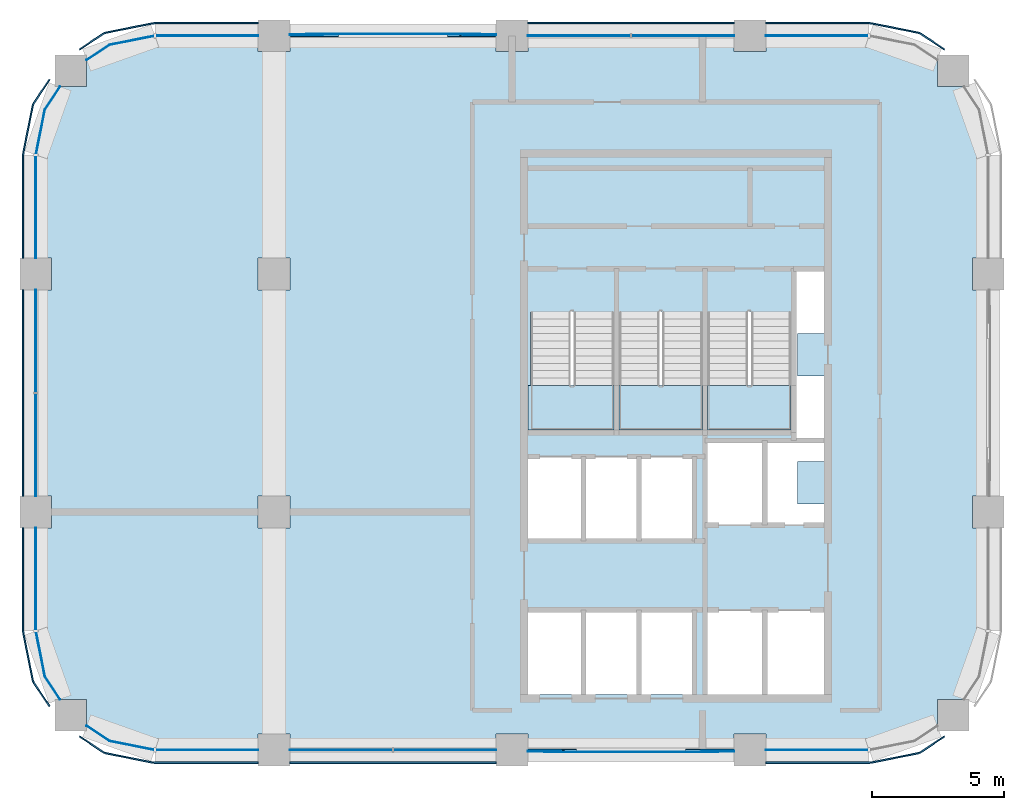
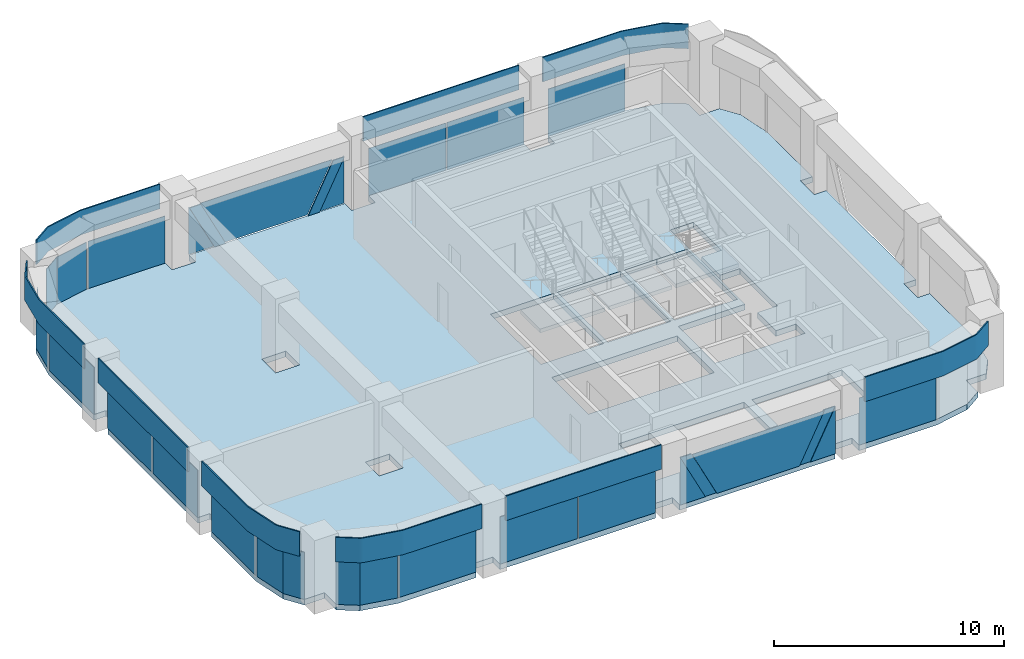
# One storey, part 5 of 9: 35 plates, 4 slabs, 14 elements without a shape of their own.
"""IFC4 building model written with IfcOpenShell, lengths in metres."""

from ifc_helpers import new_model, si_unit, direction, frame, origin, origin_2d, place, context, subcontext, project, spatial, polyline, rectangle, outline, extrude, material, layer, layer_set, type_object, element, aggregate, save


model = new_model("IFC4")

# Units and contexts
model_context = context("Model", 3, precision=1e-05, world=origin(), true_north=direction((0.0, 1.0)))
body_context = subcontext(model_context, "Body", "Model", "MODEL_VIEW")
ifc_project = project(units=[si_unit("LENGTHUNIT", "METRE"), si_unit("AREAUNIT", "SQUARE_METRE"), si_unit("VOLUMEUNIT", "CUBIC_METRE"), si_unit("PLANEANGLEUNIT", "RADIAN"), si_unit("MASSUNIT", "GRAM", prefix="KILO")], contexts=[model_context])

# Site, building, storey
site_placement = place(None, origin())
site = spatial("IfcSite", under=ifc_project, at=site_placement, CompositionType="ELEMENT")
building_placement = place(site_placement, origin())
building = spatial("IfcBuilding", under=site, at=building_placement, Name="Tessera Arch", CompositionType="ELEMENT")
storey_placement = place(building_placement, frame((0.0, 0.0, 312.89990234375)))
storey = spatial("IfcBuildingStorey", under=building, at=storey_placement, Name="L75", CompositionType="ELEMENT", Elevation=312.89990234375)

# Curtain wall, plates
ifc_material_1 = material(Name="CW1 curtain wall")
curtain_wall_type_1 = type_object("IfcCurtainWallType", Name="CW1 curtain wall", PredefinedType="NOTDEFINED", material=ifc_material_1)
curtain_wall_1_placement = place(storey_placement, origin())
curtain_wall_1 = element("IfcCurtainWall", 1, at=curtain_wall_1_placement, inside=storey, type_object=curtain_wall_type_1, Name="CW1 curtain wall N54.18/1 L75", PredefinedType="NOTDEFINED")
ifc_material_2 = material(Name="Clear low-e glass", Category="glass")
ifc_material_3 = material(Name="Clear low-e glass", Category="glass")
ifc_layer_1 = layer(ifc_material_3, 0.028076171875)
ifc_layer_set_1 = layer_set([ifc_layer_1], Name="CW1 glass panel")
plate_type_1 = type_object("IfcPlateType", Name="CW1 glass panel", PredefinedType="CURTAIN_PANEL", material=ifc_layer_set_1)
plate_1_placement = place(storey_placement, frame((42.465087890625, 54.0, 0.0), z_axis=(0.0, 0.0, 1.0), x_axis=(-1.0, 0.0, 0.0)))
plate_1 = element("IfcPlate", 2, at=plate_1_placement, type_object=plate_type_1, material=ifc_material_2, Name="CW1 glass panel N54.18/1 1.1.1", PredefinedType="CURTAIN_PANEL", context=body_context, shape_type="SweptSolid", body=[
    extrude(rectangle(XDim=3.8701171875, YDim=0.028076171875, at=origin_2d()), origin(), (0.0, 0.0, 1.0), 2.5),
])
plate_2_placement = place(storey_placement, frame((38.534912109375, 54.0, 0.0), z_axis=(0.0, 0.0, 1.0), x_axis=(-1.0, 0.0, 0.0)))
plate_2 = element("IfcPlate", 3, at=plate_2_placement, type_object=plate_type_1, material=ifc_material_2, Name="CW1 glass panel N54.18/1 1.2.1", PredefinedType="CURTAIN_PANEL", context=body_context, shape_type="SweptSolid", body=[
    extrude(rectangle(XDim=3.8701171875, YDim=0.028076171875, at=origin_2d()), origin(), (0.0, 0.0, 1.0), 2.5),
])

curtain_wall_2_placement = place(storey_placement, origin())
curtain_wall_2 = element("IfcCurtainWall", 4, at=curtain_wall_2_placement, inside=storey, type_object=curtain_wall_type_1, Name="CW1 curtain wall W18.27/1 L75", PredefinedType="NOTDEFINED")
plate_3_placement = place(storey_placement, frame((18.0, 42.465087890625, 0.0), z_axis=(0.0, 0.0, 1.0), x_axis=(0.0, -1.0, 0.0)))
plate_3 = element("IfcPlate", 5, at=plate_3_placement, type_object=plate_type_1, material=ifc_material_2, Name="CW1 glass panel W18.27/1 1.1.1", PredefinedType="CURTAIN_PANEL", context=body_context, shape_type="SweptSolid", body=[
    extrude(rectangle(XDim=3.8701171875, YDim=0.028076171875, at=origin_2d()), origin(), (0.0, 0.0, 1.0), 2.5),
])
plate_4_placement = place(storey_placement, frame((18.0, 38.534912109375, 0.0), z_axis=(0.0, 0.0, 1.0), x_axis=(0.0, -1.0, 0.0)))
plate_4 = element("IfcPlate", 6, at=plate_4_placement, type_object=plate_type_1, material=ifc_material_2, Name="CW1 glass panel W18.27/1 1.2.1", PredefinedType="CURTAIN_PANEL", context=body_context, shape_type="SweptSolid", body=[
    extrude(rectangle(XDim=3.8701171875, YDim=0.028076171875, at=origin_2d()), origin(), (0.0, 0.0, 1.0), 2.5),
])

curtain_wall_3_placement = place(storey_placement, origin())
curtain_wall_3 = element("IfcCurtainWall", 7, at=curtain_wall_3_placement, inside=storey, type_object=curtain_wall_type_1, Name="CW1 curtain wall S27.18/1 L75", PredefinedType="NOTDEFINED")
plate_5_placement = place(storey_placement, frame((29.534912109375, 27.0, 0.0), z_axis=(0.0, 0.0, 1.0), x_axis=(1.0, 0.0, 0.0)))
plate_5 = element("IfcPlate", 8, at=plate_5_placement, type_object=plate_type_1, material=ifc_material_2, Name="CW1 glass panel S27.18/1 1.1.1", PredefinedType="CURTAIN_PANEL", context=body_context, shape_type="SweptSolid", body=[
    extrude(rectangle(XDim=3.8701171875, YDim=0.028076171875, at=origin_2d()), origin(), (0.0, 0.0, 1.0), 2.5),
])
plate_6_placement = place(storey_placement, frame((33.465087890625, 27.0, 0.0), z_axis=(0.0, 0.0, 1.0), x_axis=(1.0, 0.0, 0.0)))
plate_6 = element("IfcPlate", 9, at=plate_6_placement, type_object=plate_type_1, material=ifc_material_2, Name="CW1 glass panel S27.18/1 1.2.1", PredefinedType="CURTAIN_PANEL", context=body_context, shape_type="SweptSolid", body=[
    extrude(rectangle(XDim=3.8701171875, YDim=0.028076171875, at=origin_2d()), origin(), (0.0, 0.0, 1.0), 2.5),
])

# Plate
ifc_material_4 = material(Name="Pale anodised aluminium panel", Category="aluminium")
ifc_layer_2 = layer(ifc_material_4, 0.06005859375)
ifc_layer_set_2 = layer_set([ifc_layer_2], Name="CW1 spandrel panel")
plate_type_2 = type_object("IfcPlateType", Name="CW1 spandrel panel", PredefinedType="CURTAIN_PANEL", material=ifc_layer_set_2)
plate_7_placement = place(storey_placement, frame((40.5, 54.47998046875, 2.60009765625), z_axis=(0.0, 0.0, 1.0), x_axis=(-1.0, 0.0, 0.0)))
plate_7 = element("IfcPlate", 10, at=plate_7_placement, type_object=plate_type_2, Name="CW1 spandrel panel N54.18/1", PredefinedType="CURTAIN_PANEL", context=body_context, shape_type="SweptSolid", body=[
    extrude(rectangle(XDim=7.800048828125, YDim=0.06005859375, at=origin_2d()), origin(), (0.0, 0.0, 1.0), 1.300048828125),
])

aggregate(curtain_wall_1, [plate_1, plate_2, plate_7])

plate_8_placement = place(storey_placement, frame((17.52001953125, 40.5, 2.60009765625), z_axis=(0.0, 0.0, 1.0), x_axis=(0.0, -1.0, 0.0)))
plate_8 = element("IfcPlate", 11, at=plate_8_placement, type_object=plate_type_2, Name="CW1 spandrel panel W18.27/1", PredefinedType="CURTAIN_PANEL", context=body_context, shape_type="SweptSolid", body=[
    extrude(rectangle(XDim=7.800048828125, YDim=0.06005859375, at=origin_2d()), origin(), (0.0, 0.0, 1.0), 1.300048828125),
])

aggregate(curtain_wall_2, [plate_3, plate_4, plate_8])

plate_9_placement = place(storey_placement, frame((31.5, 26.52001953125, 2.60009765625), z_axis=(0.0, 0.0, 1.0), x_axis=(1.0, 0.0, 0.0)))
plate_9 = element("IfcPlate", 12, at=plate_9_placement, type_object=plate_type_2, Name="CW1 spandrel panel S27.18/1", PredefinedType="CURTAIN_PANEL", context=body_context, shape_type="SweptSolid", body=[
    extrude(rectangle(XDim=7.800048828125, YDim=0.06005859375, at=origin_2d()), origin(), (0.0, 0.0, 1.0), 1.300048828125),
])

aggregate(curtain_wall_3, [plate_5, plate_6, plate_9])

# Curtain wall, plate
ifc_material_5 = material(Name="CW2 curtain wall")
curtain_wall_type_2 = type_object("IfcCurtainWallType", Name="CW2 curtain wall", PredefinedType="NOTDEFINED", material=ifc_material_5)
curtain_wall_4_placement = place(storey_placement, origin())
curtain_wall_4 = element("IfcCurtainWall", 13, at=curtain_wall_4_placement, inside=storey, type_object=curtain_wall_type_2, Name="CW2 curtain wall N54.18/0 L75", PredefinedType="NOTDEFINED")
ifc_material_6 = material(Name="Clear low-e glass", Category="glass")
ifc_layer_3 = layer(ifc_material_6, 0.028076171875)
ifc_layer_set_3 = layer_set([ifc_layer_3], Name="CW2 glass panel")
plate_type_3 = type_object("IfcPlateType", Name="CW2 glass panel", PredefinedType="CURTAIN_PANEL", material=ifc_layer_set_3)
plate_10_placement = place(storey_placement, frame((47.530029296875, 54.0, 0.0), z_axis=(0.0, 0.0, 1.0), x_axis=(-1.0, 0.0, 0.0)))
plate_10 = element("IfcPlate", 14, at=plate_10_placement, type_object=plate_type_3, material=ifc_material_2, Name="CW2 glass panel N54.18/0 1.1", PredefinedType="CURTAIN_PANEL", context=body_context, shape_type="SweptSolid", body=[
    extrude(rectangle(XDim=3.860107421875, YDim=0.028076171875, at=origin_2d()), origin(), (0.0, 0.0, 1.0), 2.5),
])

# Curtain wall, plates
curtain_wall_5_placement = place(storey_placement, origin())
curtain_wall_5 = element("IfcCurtainWall", 15, at=curtain_wall_5_placement, inside=storey, type_object=curtain_wall_type_2, Name="CW2 curtain wall N54.18/3 L75", PredefinedType="NOTDEFINED")
plate_11_placement = place(storey_placement, frame((24.469970703125, 54.0, 0.0), z_axis=(0.0, 0.0, 1.0), x_axis=(-1.0, 0.0, 0.0)))
plate_11 = element("IfcPlate", 16, at=plate_11_placement, type_object=plate_type_3, material=ifc_material_2, Name="CW2 glass panel N54.18/3 1.1", PredefinedType="CURTAIN_PANEL", context=body_context, shape_type="SweptSolid", body=[
    extrude(rectangle(XDim=3.860107421875, YDim=0.028076171875, at=origin_2d()), origin(), (0.0, 0.0, 1.0), 2.5),
])
plate_12_placement = place(storey_placement, origin())
plate_12 = element("IfcPlate", 17, at=plate_12_placement, type_object=plate_type_3, material=ifc_material_2, Name="CW2 curved glass panel N54.18/3 2.1", PredefinedType="CURTAIN_PANEL", context=body_context, shape_type="SweptSolid", body=[
    extrude(outline(polyline([(20.783447265625, 53.644287109375), (22.46337890625, 53.978515625), (22.4580078125, 54.005859375), (20.7724609375, 53.670654296875), (19.91015625, 53.094482421875), (19.92578125, 53.0712890625), (20.783447265625, 53.644287109375)])), origin(), (0.0, 0.0, 1.0), 2.5),
])

curtain_wall_6_placement = place(storey_placement, origin())
curtain_wall_6 = element("IfcCurtainWall", 18, at=curtain_wall_6_placement, inside=storey, type_object=curtain_wall_type_2, Name="CW2 curtain wall W18.27/0 L75", PredefinedType="NOTDEFINED")
plate_13_placement = place(storey_placement, frame((18.0, 47.530029296875, 0.0), z_axis=(0.0, 0.0, 1.0), x_axis=(0.0, -1.0, 0.0)))
plate_13 = element("IfcPlate", 19, at=plate_13_placement, type_object=plate_type_3, material=ifc_material_2, Name="CW2 glass panel W18.27/0 1.1", PredefinedType="CURTAIN_PANEL", context=body_context, shape_type="SweptSolid", body=[
    extrude(rectangle(XDim=3.860107421875, YDim=0.028076171875, at=origin_2d()), origin(), (0.0, 0.0, 1.0), 2.5),
])
plate_14_placement = place(storey_placement, origin())
plate_14 = element("IfcPlate", 20, at=plate_14_placement, type_object=plate_type_3, material=ifc_material_2, Name="CW2 curved glass panel W18.27/0 2.1", PredefinedType="CURTAIN_PANEL", context=body_context, shape_type="SweptSolid", body=[
    extrude(outline(polyline([(18.355712890625, 51.216552734375), (18.9287109375, 52.07421875), (18.905517578125, 52.08984375), (18.329345703125, 51.2275390625), (17.994140625, 49.5419921875), (18.021484375, 49.53662109375), (18.355712890625, 51.216552734375)])), origin(), (0.0, 0.0, 1.0), 2.5),
])

curtain_wall_7_placement = place(storey_placement, origin())
curtain_wall_7 = element("IfcCurtainWall", 21, at=curtain_wall_7_placement, inside=storey, type_object=curtain_wall_type_2, Name="CW2 curtain wall W18.27/2 L75", PredefinedType="NOTDEFINED")
plate_15_placement = place(storey_placement, frame((18.0, 33.469970703125, 0.0), z_axis=(0.0, 0.0, 1.0), x_axis=(0.0, -1.0, 0.0)))
plate_15 = element("IfcPlate", 22, at=plate_15_placement, type_object=plate_type_3, material=ifc_material_2, Name="CW2 glass panel W18.27/2 1.1", PredefinedType="CURTAIN_PANEL", context=body_context, shape_type="SweptSolid", body=[
    extrude(rectangle(XDim=3.860107421875, YDim=0.028076171875, at=origin_2d()), origin(), (0.0, 0.0, 1.0), 2.5),
])
plate_16_placement = place(storey_placement, origin())
plate_16 = element("IfcPlate", 23, at=plate_16_placement, type_object=plate_type_3, material=ifc_material_2, Name="CW2 curved glass panel W18.27/2 2.1", PredefinedType="CURTAIN_PANEL", context=body_context, shape_type="SweptSolid", body=[
    extrude(outline(polyline([(18.355712890625, 29.783447265625), (18.021484375, 31.46337890625), (17.994140625, 31.4580078125), (18.329345703125, 29.7724609375), (18.905517578125, 28.91015625), (18.9287109375, 28.92578125), (18.355712890625, 29.783447265625)])), origin(), (0.0, 0.0, 1.0), 2.5),
])

curtain_wall_8_placement = place(storey_placement, origin())
curtain_wall_8 = element("IfcCurtainWall", 24, at=curtain_wall_8_placement, inside=storey, type_object=curtain_wall_type_2, Name="CW2 curtain wall S27.18/0 L75", PredefinedType="NOTDEFINED")
plate_17_placement = place(storey_placement, frame((24.469970703125, 27.0, 0.0), z_axis=(0.0, 0.0, 1.0), x_axis=(1.0, 0.0, 0.0)))
plate_17 = element("IfcPlate", 25, at=plate_17_placement, type_object=plate_type_3, material=ifc_material_2, Name="CW2 glass panel S27.18/0 1.1", PredefinedType="CURTAIN_PANEL", context=body_context, shape_type="SweptSolid", body=[
    extrude(rectangle(XDim=3.860107421875, YDim=0.028076171875, at=origin_2d()), origin(), (0.0, 0.0, 1.0), 2.5),
])
plate_18_placement = place(storey_placement, origin())
plate_18 = element("IfcPlate", 26, at=plate_18_placement, type_object=plate_type_3, material=ifc_material_2, Name="CW2 curved glass panel S27.18/0 2.1", PredefinedType="CURTAIN_PANEL", context=body_context, shape_type="SweptSolid", body=[
    extrude(outline(polyline([(20.783447265625, 27.355712890625), (19.92578125, 27.9287109375), (19.91015625, 27.905517578125), (20.7724609375, 27.329345703125), (22.4580078125, 26.994140625), (22.46337890625, 27.021484375), (20.783447265625, 27.355712890625)])), origin(), (0.0, 0.0, 1.0), 2.5),
])

# Curtain wall, plate
curtain_wall_9_placement = place(storey_placement, origin())
curtain_wall_9 = element("IfcCurtainWall", 27, at=curtain_wall_9_placement, inside=storey, type_object=curtain_wall_type_2, Name="CW2 curtain wall S27.18/3 L75", PredefinedType="NOTDEFINED")
plate_19_placement = place(storey_placement, frame((47.530029296875, 27.0, 0.0), z_axis=(0.0, 0.0, 1.0), x_axis=(1.0, 0.0, 0.0)))
plate_19 = element("IfcPlate", 28, at=plate_19_placement, type_object=plate_type_3, material=ifc_material_2, Name="CW2 glass panel S27.18/3 1.1", PredefinedType="CURTAIN_PANEL", context=body_context, shape_type="SweptSolid", body=[
    extrude(rectangle(XDim=3.860107421875, YDim=0.028076171875, at=origin_2d()), origin(), (0.0, 0.0, 1.0), 2.5),
])

# Plate
ifc_material_7 = material(Name="Pale anodised aluminium panel", Category="aluminium")
ifc_layer_4 = layer(ifc_material_7, 0.06005859375)
ifc_layer_set_4 = layer_set([ifc_layer_4], Name="CW2 spandrel panel")
plate_type_4 = type_object("IfcPlateType", Name="CW2 spandrel panel", PredefinedType="CURTAIN_PANEL", material=ifc_layer_set_4)
plate_20_placement = place(storey_placement, frame((0.0, 0.0, 2.60009765625)))
plate_20 = element("IfcPlate", 29, at=plate_20_placement, type_object=plate_type_4, Name="CW2 spandrel panel N54.18/0", PredefinedType="CURTAIN_PANEL", context=body_context, shape_type="SweptSolid", body=[
    extrude(outline(polyline([(51.47265625, 54.03125), (52.33203125, 53.45703125), (52.365234375, 53.5068359375), (51.5048828125, 54.08203125), (51.462646484375, 54.107421875), (51.417236328125, 54.128662109375), (51.3701171875, 54.1455078125), (51.322265625, 54.157470703125), (49.598876953125, 54.500244140625), (49.550048828125, 54.507568359375), (49.500732421875, 54.510009765625), (45.60009765625, 54.510009765625), (45.60009765625, 54.449951171875), (49.499267578125, 54.449951171875), (49.544189453125, 54.44775390625), (49.588623046875, 54.441162109375), (51.30908203125, 54.09912109375), (51.352783203125, 54.088134765625), (51.394287109375, 54.0732421875), (51.434326171875, 54.054443359375), (51.47265625, 54.03125)])), origin(), (0.0, 0.0, 1.0), 1.300048828125),
])

aggregate(curtain_wall_4, [plate_10, plate_20])

plate_21_placement = place(storey_placement, frame((0.0, 0.0, 2.60009765625)))
plate_21 = element("IfcPlate", 30, at=plate_21_placement, type_object=plate_type_4, Name="CW2 spandrel panel N54.18/3", PredefinedType="CURTAIN_PANEL", context=body_context, shape_type="SweptSolid", body=[
    extrude(outline(polyline([(22.500732421875, 54.449951171875), (26.39990234375, 54.449951171875), (26.39990234375, 54.510009765625), (22.499267578125, 54.510009765625), (22.449951171875, 54.507568359375), (22.401123046875, 54.500244140625), (20.677734375, 54.157470703125), (20.6298828125, 54.1455078125), (20.582763671875, 54.128662109375), (20.537353515625, 54.107421875), (20.4951171875, 54.08203125), (19.634765625, 53.5068359375), (19.66796875, 53.45703125), (20.52734375, 54.03125), (20.565673828125, 54.054443359375), (20.605712890625, 54.0732421875), (20.647216796875, 54.088134765625), (20.69091796875, 54.09912109375), (22.411376953125, 54.441162109375), (22.455810546875, 54.44775390625), (22.500732421875, 54.449951171875)])), origin(), (0.0, 0.0, 1.0), 1.300048828125),
])

aggregate(curtain_wall_5, [plate_11, plate_12, plate_21])

plate_22_placement = place(storey_placement, frame((0.0, 0.0, 2.60009765625)))
plate_22 = element("IfcPlate", 31, at=plate_22_placement, type_object=plate_type_4, Name="CW2 spandrel panel W18.27/0", PredefinedType="CURTAIN_PANEL", context=body_context, shape_type="SweptSolid", body=[
    extrude(outline(polyline([(17.96875, 51.47265625), (18.54296875, 52.33203125), (18.4931640625, 52.365234375), (17.91796875, 51.5048828125), (17.892578125, 51.462646484375), (17.871337890625, 51.417236328125), (17.8544921875, 51.3701171875), (17.842529296875, 51.322265625), (17.499755859375, 49.598876953125), (17.492431640625, 49.550048828125), (17.489990234375, 49.500732421875), (17.489990234375, 45.60009765625), (17.550048828125, 45.60009765625), (17.550048828125, 49.499267578125), (17.55224609375, 49.544189453125), (17.558837890625, 49.588623046875), (17.90087890625, 51.30908203125), (17.911865234375, 51.352783203125), (17.9267578125, 51.394287109375), (17.945556640625, 51.434326171875), (17.96875, 51.47265625)])), origin(), (0.0, 0.0, 1.0), 1.300048828125),
])

aggregate(curtain_wall_6, [plate_13, plate_14, plate_22])

plate_23_placement = place(storey_placement, frame((0.0, 0.0, 2.60009765625)))
plate_23 = element("IfcPlate", 32, at=plate_23_placement, type_object=plate_type_4, Name="CW2 spandrel panel W18.27/2", PredefinedType="CURTAIN_PANEL", context=body_context, shape_type="SweptSolid", body=[
    extrude(outline(polyline([(17.550048828125, 31.500732421875), (17.550048828125, 35.39990234375), (17.489990234375, 35.39990234375), (17.489990234375, 31.499267578125), (17.492431640625, 31.449951171875), (17.499755859375, 31.401123046875), (17.842529296875, 29.677734375), (17.8544921875, 29.6298828125), (17.871337890625, 29.582763671875), (17.892578125, 29.537353515625), (17.91796875, 29.4951171875), (18.4931640625, 28.634765625), (18.54296875, 28.66796875), (17.96875, 29.52734375), (17.945556640625, 29.565673828125), (17.9267578125, 29.605712890625), (17.911865234375, 29.647216796875), (17.90087890625, 29.69091796875), (17.558837890625, 31.411376953125), (17.55224609375, 31.455810546875), (17.550048828125, 31.500732421875)])), origin(), (0.0, 0.0, 1.0), 1.300048828125),
])

aggregate(curtain_wall_7, [plate_15, plate_16, plate_23])

plate_24_placement = place(storey_placement, frame((0.0, 0.0, 2.60009765625)))
plate_24 = element("IfcPlate", 33, at=plate_24_placement, type_object=plate_type_4, Name="CW2 spandrel panel S27.18/0", PredefinedType="CURTAIN_PANEL", context=body_context, shape_type="SweptSolid", body=[
    extrude(outline(polyline([(20.52734375, 26.96875), (19.66796875, 27.54296875), (19.634765625, 27.4931640625), (20.4951171875, 26.91796875), (20.537353515625, 26.892578125), (20.582763671875, 26.871337890625), (20.6298828125, 26.8544921875), (20.677734375, 26.842529296875), (22.401123046875, 26.499755859375), (22.449951171875, 26.492431640625), (22.499267578125, 26.489990234375), (26.39990234375, 26.489990234375), (26.39990234375, 26.550048828125), (22.500732421875, 26.550048828125), (22.455810546875, 26.55224609375), (22.411376953125, 26.558837890625), (20.69091796875, 26.90087890625), (20.647216796875, 26.911865234375), (20.605712890625, 26.9267578125), (20.565673828125, 26.945556640625), (20.52734375, 26.96875)])), origin(), (0.0, 0.0, 1.0), 1.300048828125),
])

aggregate(curtain_wall_8, [plate_17, plate_18, plate_24])

plate_25_placement = place(storey_placement, frame((0.0, 0.0, 2.60009765625)))
plate_25 = element("IfcPlate", 34, at=plate_25_placement, type_object=plate_type_4, Name="CW2 spandrel panel S27.18/3", PredefinedType="CURTAIN_PANEL", context=body_context, shape_type="SweptSolid", body=[
    extrude(outline(polyline([(49.499267578125, 26.550048828125), (45.60009765625, 26.550048828125), (45.60009765625, 26.489990234375), (49.500732421875, 26.489990234375), (49.550048828125, 26.492431640625), (49.598876953125, 26.499755859375), (51.322265625, 26.842529296875), (51.3701171875, 26.8544921875), (51.417236328125, 26.871337890625), (51.462646484375, 26.892578125), (51.5048828125, 26.91796875), (52.365234375, 27.4931640625), (52.33203125, 27.54296875), (51.47265625, 26.96875), (51.434326171875, 26.945556640625), (51.394287109375, 26.9267578125), (51.352783203125, 26.911865234375), (51.30908203125, 26.90087890625), (49.588623046875, 26.558837890625), (49.544189453125, 26.55224609375), (49.499267578125, 26.550048828125)])), origin(), (0.0, 0.0, 1.0), 1.300048828125),
])

aggregate(curtain_wall_9, [plate_19, plate_25])

# Curtain wall, plates
ifc_material_8 = material(Name="CW3 curtain wall")
curtain_wall_type_3 = type_object("IfcCurtainWallType", Name="CW3 curtain wall", PredefinedType="NOTDEFINED", material=ifc_material_8)
curtain_wall_10_placement = place(storey_placement, origin())
curtain_wall_10 = element("IfcCurtainWall", 35, at=curtain_wall_10_placement, inside=storey, type_object=curtain_wall_type_3, Name="CW3 curtain wall N54.18/2 L75", PredefinedType="NOTDEFINED")
ifc_material_9 = material(Name="Pale anodised aluminium panel", Category="aluminium")
ifc_layer_5 = layer(ifc_material_9, 0.06005859375)
ifc_layer_set_5 = layer_set([ifc_layer_5], Name="CW3 diagonal panel")
plate_type_5 = type_object("IfcPlateType", Name="CW3 diagonal panel", PredefinedType="CURTAIN_PANEL", material=ifc_layer_set_5)
plate_26_placement = place(storey_placement, frame((27.61767578125, 54.030029296875, 2.5), z_axis=(0.0, 1.0, 0.0), x_axis=(1.0, 0.0, 0.0)))
plate_26 = element("IfcPlate", 36, at=plate_26_placement, type_object=plate_type_5, Name="CW3 diagonal panel N54.18/2 1", PredefinedType="CURTAIN_PANEL", context=body_context, shape_type="SweptSolid", body=[
    extrude(outline(polyline([(0.0, 0.0), (0.564697265625, 0.0), (1.814697265625, 2.5), (1.25, 2.5), (0.0, 0.0)])), origin(), (0.0, 0.0, -1.0), 0.06005859375),
])
plate_27_placement = place(storey_placement, frame((34.817626953125, 54.030029296875, 2.5), z_axis=(0.0, 1.0, 0.0), x_axis=(1.0, 0.0, 0.0)))
plate_27 = element("IfcPlate", 37, at=plate_27_placement, type_object=plate_type_5, Name="CW3 diagonal panel N54.18/2 2", PredefinedType="CURTAIN_PANEL", context=body_context, shape_type="SweptSolid", body=[
    extrude(outline(polyline([(0.0, 0.0), (0.564697265625, 0.0), (-0.685302734375, 2.5), (-1.25, 2.5), (0.0, 0.0)])), origin(), (0.0, 0.0, -1.0), 0.06005859375),
])

curtain_wall_11_placement = place(storey_placement, origin())
curtain_wall_11 = element("IfcCurtainWall", 38, at=curtain_wall_11_placement, inside=storey, type_object=curtain_wall_type_3, Name="CW3 curtain wall S27.18/2 L75", PredefinedType="NOTDEFINED")
plate_28_placement = place(storey_placement, frame((44.38232421875, 26.969970703125, 2.5), z_axis=(0.0, -1.0, 0.0), x_axis=(-1.0, 0.0, 0.0)))
plate_28 = element("IfcPlate", 39, at=plate_28_placement, type_object=plate_type_5, Name="CW3 diagonal panel S27.18/2 1", PredefinedType="CURTAIN_PANEL", context=body_context, shape_type="SweptSolid", body=[
    extrude(outline(polyline([(0.0, 0.0), (0.564697265625, 0.0), (1.814697265625, 2.5), (1.25, 2.5), (0.0, 0.0)])), origin(), (0.0, 0.0, -1.0), 0.06005859375),
])
plate_29_placement = place(storey_placement, frame((37.182373046875, 26.969970703125, 2.5), z_axis=(0.0, -1.0, 0.0), x_axis=(-1.0, 0.0, 0.0)))
plate_29 = element("IfcPlate", 40, at=plate_29_placement, type_object=plate_type_5, Name="CW3 diagonal panel S27.18/2 2", PredefinedType="CURTAIN_PANEL", context=body_context, shape_type="SweptSolid", body=[
    extrude(outline(polyline([(0.0, 0.0), (0.564697265625, 0.0), (-0.685302734375, 2.5), (-1.25, 2.5), (0.0, 0.0)])), origin(), (0.0, 0.0, -1.0), 0.06005859375),
])

# Plate
ifc_material_10 = material(Name="Clear low-e glass", Category="glass")
ifc_layer_6 = layer(ifc_material_10, 0.028076171875)
ifc_layer_set_6 = layer_set([ifc_layer_6], Name="CW3 glass panel")
plate_type_6 = type_object("IfcPlateType", Name="CW3 glass panel", PredefinedType="CURTAIN_PANEL", material=ifc_layer_set_6)
plate_30_placement = place(storey_placement, frame((35.39990234375, 54.05810546875, 0.0), z_axis=(0.0, 1.0, 0.0), x_axis=(-1.0, 0.0, 0.0)))
plate_30 = element("IfcPlate", 41, at=plate_30_placement, type_object=plate_type_6, material=ifc_material_2, Name="CW3 triangulated glass panel N54.18/2 1", PredefinedType="CURTAIN_PANEL", context=body_context, shape_type="SweptSolid", body=[
    extrude(outline(polyline([(0.0, 0.0), (1.267578125, 0.0), (0.017578125, 2.5), (0.0, 2.5), (0.0, 0.0)])), origin(), (0.0, 0.0, -1.0), 0.028076171875),
])

plate_31_placement = place(storey_placement, frame((28.182373046875, 54.0859375, 2.5), z_axis=(0.0, 1.0, 0.0), x_axis=(1.0, 0.0, 0.0)))
plate_31 = element("IfcPlate", 42, at=plate_31_placement, type_object=plate_type_6, material=ifc_material_2, Name="CW3 triangulated glass panel N54.18/2 2", PredefinedType="CURTAIN_PANEL", context=body_context, shape_type="SweptSolid", body=[
    extrude(outline(polyline([(0.0, 0.0), (6.63525390625, 0.0), (5.38525390625, 2.5), (1.25, 2.5), (0.0, 0.0)])), origin(), (0.0, 0.0, -1.0), 0.028076171875),
])

plate_32_placement = place(storey_placement, frame((27.60009765625, 54.05810546875, 2.5), z_axis=(0.0, 1.0, 0.0), x_axis=(1.0, 0.0, 0.0)))
plate_32 = element("IfcPlate", 43, at=plate_32_placement, type_object=plate_type_6, material=ifc_material_2, Name="CW3 triangulated glass panel N54.18/2 3", PredefinedType="CURTAIN_PANEL", context=body_context, shape_type="SweptSolid", body=[
    extrude(outline(polyline([(0.0, 0.0), (0.017578125, 0.0), (1.267578125, 2.5), (0.0, 2.5), (0.0, 0.0)])), origin(), (0.0, 0.0, -1.0), 0.028076171875),
])

aggregate(curtain_wall_10, [plate_30, plate_31, plate_32, plate_26, plate_27])

plate_33_placement = place(storey_placement, frame((36.60009765625, 26.94189453125, 0.0), z_axis=(0.0, -1.0, 0.0), x_axis=(1.0, 0.0, 0.0)))
plate_33 = element("IfcPlate", 44, at=plate_33_placement, type_object=plate_type_6, material=ifc_material_2, Name="CW3 triangulated glass panel S27.18/2 1", PredefinedType="CURTAIN_PANEL", context=body_context, shape_type="SweptSolid", body=[
    extrude(outline(polyline([(0.0, 0.0), (1.267578125, 0.0), (0.017578125, 2.5), (0.0, 2.5), (0.0, 0.0)])), origin(), (0.0, 0.0, -1.0), 0.028076171875),
])

plate_34_placement = place(storey_placement, frame((43.817626953125, 26.9140625, 2.5), z_axis=(0.0, -1.0, 0.0), x_axis=(-1.0, 0.0, 0.0)))
plate_34 = element("IfcPlate", 45, at=plate_34_placement, type_object=plate_type_6, material=ifc_material_2, Name="CW3 triangulated glass panel S27.18/2 2", PredefinedType="CURTAIN_PANEL", context=body_context, shape_type="SweptSolid", body=[
    extrude(outline(polyline([(0.0, 0.0), (6.63525390625, 0.0), (5.38525390625, 2.5), (1.25, 2.5), (0.0, 0.0)])), origin(), (0.0, 0.0, -1.0), 0.028076171875),
])

plate_35_placement = place(storey_placement, frame((44.39990234375, 26.94189453125, 2.5), z_axis=(0.0, -1.0, 0.0), x_axis=(-1.0, 0.0, 0.0)))
plate_35 = element("IfcPlate", 46, at=plate_35_placement, type_object=plate_type_6, material=ifc_material_2, Name="CW3 triangulated glass panel S27.18/2 3", PredefinedType="CURTAIN_PANEL", context=body_context, shape_type="SweptSolid", body=[
    extrude(outline(polyline([(0.0, 0.0), (0.017578125, 0.0), (1.267578125, 2.5), (0.0, 2.5), (0.0, 0.0)])), origin(), (0.0, 0.0, -1.0), 0.028076171875),
])

aggregate(curtain_wall_11, [plate_33, plate_34, plate_35, plate_28, plate_29])

# Slab
ifc_material_11 = material(Name="Concrete C40/50", Category="concrete")
ifc_layer_7 = layer(ifc_material_11, 0.300048828125)
ifc_layer_set_7 = layer_set([ifc_layer_7], Name="Floor slab 300 Concrete C40/50")
slab_type_1 = type_object("IfcSlabType", Name="Floor slab 300 Concrete C40/50", PredefinedType="FLOOR", material=ifc_layer_set_7)
slab_1_placement = place(storey_placement, frame((0.0, 0.0, -0.2998046875)))
element("IfcSlab", 47, at=slab_1_placement, inside=storey, type_object=slab_type_1, Name="Floor slab L75 1", PredefinedType="FLOOR", context=body_context, shape_type="SweptSolid", body=[
    extrude(outline(polyline([(54.0, 31.5), (53.657470703125, 29.77783203125), (53.0830078125, 28.91796875), (52.08203125, 28.91796875), (52.08203125, 27.9169921875), (51.22216796875, 27.342529296875), (49.5, 27.0), (45.60009765625, 27.0), (45.60009765625, 27.60009765625), (44.39990234375, 27.60009765625), (44.39990234375, 27.0), (36.60009765625, 27.0), (36.60009765625, 27.60009765625), (35.39990234375, 27.60009765625), (35.39990234375, 27.0), (27.60009765625, 27.0), (27.60009765625, 27.60009765625), (26.39990234375, 27.60009765625), (26.39990234375, 27.0), (22.5, 27.0), (20.77783203125, 27.342529296875), (19.91796875, 27.9169921875), (19.91796875, 28.91796875), (18.9169921875, 28.91796875), (18.342529296875, 29.77783203125), (18.0, 31.5), (18.0, 35.39990234375), (18.60009765625, 35.39990234375), (18.60009765625, 36.60009765625), (18.0, 36.60009765625), (18.0, 44.39990234375), (18.60009765625, 44.39990234375), (18.60009765625, 45.60009765625), (18.0, 45.60009765625), (18.0, 49.5), (18.342529296875, 51.22216796875), (18.9169921875, 52.08203125), (19.91796875, 52.08203125), (19.91796875, 53.0830078125), (20.77783203125, 53.657470703125), (22.5, 54.0), (26.39990234375, 54.0), (26.39990234375, 53.39990234375), (27.60009765625, 53.39990234375), (27.60009765625, 54.0), (35.39990234375, 54.0), (35.39990234375, 53.39990234375), (36.60009765625, 53.39990234375), (36.60009765625, 54.0), (44.39990234375, 54.0), (44.39990234375, 53.39990234375), (45.60009765625, 53.39990234375), (45.60009765625, 54.0), (49.5, 54.0), (51.22216796875, 53.657470703125), (52.08203125, 53.0830078125), (52.08203125, 52.08203125), (53.0830078125, 52.08203125), (53.657470703125, 51.22216796875), (54.0, 49.5), (54.0, 45.60009765625), (53.39990234375, 45.60009765625), (53.39990234375, 44.39990234375), (54.0, 44.39990234375), (54.0, 36.60009765625), (53.39990234375, 36.60009765625), (53.39990234375, 35.39990234375), (54.0, 35.39990234375), (54.0, 31.5)]), holes=[polyline([(40.800048828125, 29.10009765625), (42.89990234375, 29.10009765625), (42.89990234375, 32.300048828125), (40.800048828125, 32.300048828125), (38.699951171875, 32.300048828125), (36.60009765625, 32.300048828125), (36.60009765625, 29.10009765625), (38.699951171875, 29.10009765625), (40.800048828125, 29.10009765625)]), polyline([(27.60009765625, 35.39990234375), (27.60009765625, 36.60009765625), (26.39990234375, 36.60009765625), (26.39990234375, 35.39990234375), (27.60009765625, 35.39990234375)]), polyline([(40.800048828125, 34.89990234375), (42.89990234375, 34.89990234375), (42.89990234375, 38.10009765625), (40.800048828125, 38.10009765625), (38.699951171875, 38.10009765625), (36.60009765625, 38.10009765625), (36.60009765625, 34.89990234375), (38.699951171875, 34.89990234375), (40.800048828125, 34.89990234375)]), polyline([(38.219970703125, 43.580078125), (38.219970703125, 43.570068359375), (36.699951171875, 43.570068359375), (36.699951171875, 39.199951171875), (39.85009765625, 39.199951171875), (39.85009765625, 43.570068359375), (38.330078125, 43.570068359375), (38.330078125, 43.580078125), (38.219970703125, 43.580078125)]), polyline([(27.60009765625, 44.39990234375), (27.60009765625, 45.60009765625), (26.39990234375, 45.60009765625), (26.39990234375, 44.39990234375), (27.60009765625, 44.39990234375)]), polyline([(47.800048828125, 32.300048828125), (45.550048828125, 32.300048828125), (43.300048828125, 32.300048828125), (43.300048828125, 29.10009765625), (45.550048828125, 29.10009765625), (47.800048828125, 29.10009765625), (47.800048828125, 32.300048828125)]), polyline([(46.64990234375, 38.699951171875), (45.550048828125, 38.699951171875), (43.300048828125, 38.699951171875), (43.300048828125, 35.5), (45.550048828125, 35.5), (47.800048828125, 35.5), (47.800048828125, 36.300048828125), (46.800048828125, 36.300048828125), (46.800048828125, 37.89990234375), (47.800048828125, 37.89990234375), (47.800048828125, 38.699951171875), (47.800048828125, 41.14990234375), (46.800048828125, 41.14990234375), (46.800048828125, 42.75), (47.800048828125, 42.75), (47.800048828125, 45.199951171875), (46.64990234375, 45.199951171875), (46.64990234375, 38.699951171875)]), polyline([(41.570068359375, 43.580078125), (41.570068359375, 43.570068359375), (40.050048828125, 43.570068359375), (40.050048828125, 39.199951171875), (43.199951171875, 39.199951171875), (43.199951171875, 43.570068359375), (41.679931640625, 43.570068359375), (41.679931640625, 43.580078125), (41.570068359375, 43.580078125)]), polyline([(44.919921875, 43.580078125), (44.919921875, 43.570068359375), (43.39990234375, 43.570068359375), (43.39990234375, 39.199951171875), (46.550048828125, 39.199951171875), (46.550048828125, 43.570068359375), (45.030029296875, 43.570068359375), (45.030029296875, 43.580078125), (44.919921875, 43.580078125)])]), origin(), (0.0, 0.0, 1.0), 0.2998046875),
])

# Stair, slab
ifc_material_12 = material(Name="Concrete C40/50", Category="concrete")
stair_type = type_object("IfcStairType", Name="Dogleg stair 1520", PredefinedType="HALF_TURN_STAIR", material=ifc_material_12)
stair_1_placement = place(storey_placement, origin())
stair_1 = element("IfcStair", 48, at=stair_1_placement, inside=storey, type_object=stair_type, Name="L75 S1a", PredefinedType="HALF_TURN_STAIR")
ifc_material_13 = material(Name="Concrete C40/50", Category="concrete")
ifc_layer_8 = layer(ifc_material_13, 0.300048828125)
ifc_layer_set_8 = layer_set([ifc_layer_8], Name="Stair landing 300")
slab_type_2 = type_object("IfcSlabType", Name="Stair landing 300", PredefinedType="LANDING", material=ifc_layer_set_8)
slab_2_placement = place(storey_placement, frame((0.0, 0.0, 1.75)))
slab_2 = element("IfcSlab", 49, at=slab_2_placement, type_object=slab_type_2, Name="S1a landing 1", PredefinedType="LANDING", context=body_context, shape_type="SweptSolid", body=[
    extrude(outline(polyline([(36.60009765625, 40.780029296875), (36.60009765625, 39.10009765625), (39.85009765625, 39.10009765625), (39.85009765625, 40.780029296875), (36.60009765625, 40.780029296875)])), origin(), (0.0, 0.0, 1.0), 0.2001953125),
])
aggregate(stair_1, [slab_2])

stair_2_placement = place(storey_placement, origin())
stair_2 = element("IfcStair", 50, at=stair_2_placement, inside=storey, type_object=stair_type, Name="L75 S1b", PredefinedType="HALF_TURN_STAIR")
slab_3_placement = place(storey_placement, frame((0.0, 0.0, 1.75)))
slab_3 = element("IfcSlab", 51, at=slab_3_placement, type_object=slab_type_2, Name="S1b landing 1", PredefinedType="LANDING", context=body_context, shape_type="SweptSolid", body=[
    extrude(outline(polyline([(40.050048828125, 40.780029296875), (40.050048828125, 39.10009765625), (43.199951171875, 39.10009765625), (43.199951171875, 40.780029296875), (40.050048828125, 40.780029296875)])), origin(), (0.0, 0.0, 1.0), 0.2001953125),
])
aggregate(stair_2, [slab_3])

stair_3_placement = place(storey_placement, origin())
stair_3 = element("IfcStair", 52, at=stair_3_placement, inside=storey, type_object=stair_type, Name="L75 S1c", PredefinedType="HALF_TURN_STAIR")
slab_4_placement = place(storey_placement, frame((0.0, 0.0, 1.75)))
slab_4 = element("IfcSlab", 53, at=slab_4_placement, type_object=slab_type_2, Name="S1c landing 1", PredefinedType="LANDING", context=body_context, shape_type="SweptSolid", body=[
    extrude(outline(polyline([(43.39990234375, 40.780029296875), (43.39990234375, 39.10009765625), (46.550048828125, 39.10009765625), (46.550048828125, 40.780029296875), (43.39990234375, 40.780029296875)])), origin(), (0.0, 0.0, 1.0), 0.2001953125),
])
aggregate(stair_3, [slab_4])

save(model, "model.ifc")
